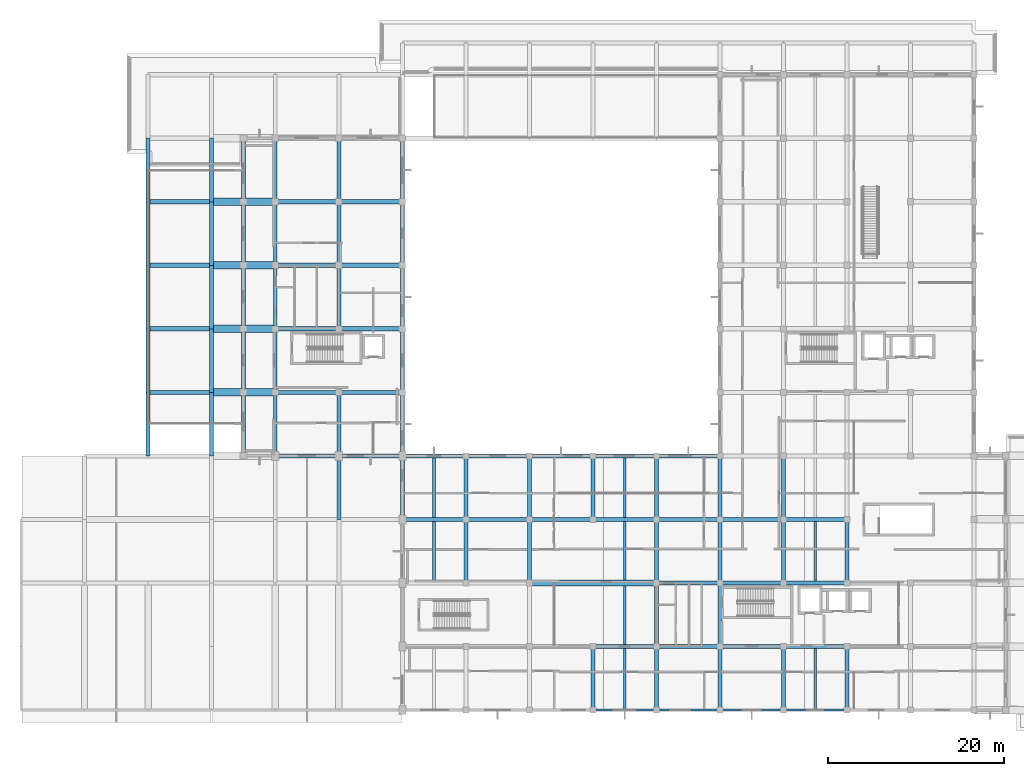
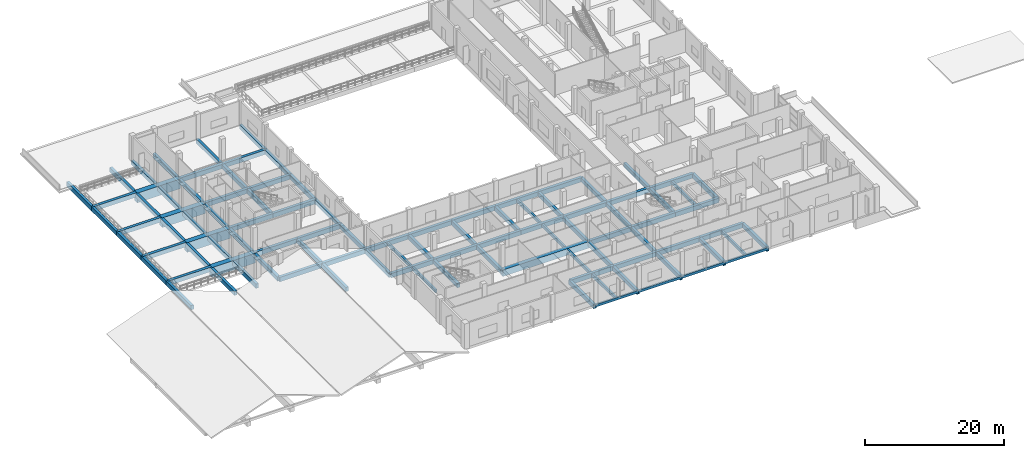
# One storey, part 2 of 24: 100 beams.
"""IFC4 building model written with IfcOpenShell, lengths in metres."""

from ifc_helpers import new_model, si_unit, direction, frame, origin, origin_2d, place, context, subcontext, project, spatial, rectangle, extrude, material, material_profile, profile_set, type_object, element, save


model = new_model("IFC4")

# Units and contexts
model_context = context("Model", 3, precision=1e-05, world=origin(), true_north=direction((0.0, 1.0)))
body_context = subcontext(model_context, "Body", "Model", "MODEL_VIEW")
ifc_project = project(units=[si_unit("LENGTHUNIT", "METRE"), si_unit("AREAUNIT", "SQUARE_METRE"), si_unit("VOLUMEUNIT", "CUBIC_METRE"), si_unit("PLANEANGLEUNIT", "RADIAN"), si_unit("MASSUNIT", "GRAM", prefix="KILO")], contexts=[model_context])

# Site, building, storey
site_placement = place(None, origin())
site = spatial("IfcSite", under=ifc_project, at=site_placement, CompositionType="ELEMENT")
building_placement = place(site_placement, origin())
building = spatial("IfcBuilding", under=site, at=building_placement, Name="Seraya Terrace Polytechnic", CompositionType="ELEMENT")
storey_placement = place(building_placement, frame((0.0, 0.0, 18.89990234375)))
storey = spatial("IfcBuildingStorey", under=building, at=storey_placement, Name="L04", CompositionType="ELEMENT", Elevation=18.89990234375)

# Beams
ifc_material = material(Name="Concrete C40/50", Category="concrete")
ifc_material_profile_1 = material_profile(ifc_material, rectangle(XDim=0.64990234375, YDim=1.14990234375, at=origin_2d()), Name="RC 650x1150")
ifc_profile_set_1 = profile_set([ifc_material_profile_1], Name="Concrete C40/50")
beam_type_1 = type_object("IfcBeamType", Name="BG-02", PredefinedType="USERDEFINED", material=ifc_profile_set_1)
beam_1_placement = place(storey_placement, frame((57.60009765625, 14.39990234375, -0.574951171875), z_axis=(1.0, 0.0, 0.0), x_axis=(0.0, 1.0, 0.0)))
element("IfcBeam", 1, at=beam_1_placement, inside=storey, type_object=beam_type_1, Name="Beam BG-02 L04 X (57.6..72.0, 14.4)", ObjectType="GIRDER", PredefinedType="USERDEFINED", context=body_context, shape_type="SweptSolid", body=[
    extrude(rectangle(XDim=0.64990234375, YDim=1.14990234375, at=origin_2d()), origin(), (0.0, 0.0, 1.0), 14.39990234375),
])
ifc_material_profile_2 = material_profile(ifc_material, rectangle(XDim=0.47998046875, YDim=0.780029296875, at=origin_2d()), Name="RC 480x780")
ifc_profile_set_2 = profile_set([ifc_material_profile_2], Name="Concrete C40/50")
beam_type_2 = type_object("IfcBeamType", Name="BM-06", PredefinedType="BEAM", material=ifc_profile_set_2)
for number, where, z_axis, x_axis, name in (
    (2, (64.800048828125, 7.199951171875, -0.389892578125), (1.0, 0.0, 0.0), (0.0, 1.0, 0.0), "Beam BM-06 L04 X (64.8..72.0, 7.2)"),
    (3, (72.0, 7.199951171875, -0.389892578125), (1.0, 0.0, 0.0), (0.0, 1.0, 0.0), "Beam BM-06 L04 X (72.0..79.2, 7.2)"),
    (4, (79.199951171875, 7.199951171875, -0.389892578125), (1.0, 0.0, 0.0), (0.0, 1.0, 0.0), "Beam BM-06 L04 X (79.2..86.4, 7.2)"),
):
    element("IfcBeam", number, at=place(storey_placement, frame(where, z_axis=z_axis, x_axis=x_axis)), inside=storey, type_object=beam_type_2, Name=name, PredefinedType="BEAM", context=body_context, shape_type="SweptSolid", body=[
        extrude(rectangle(XDim=0.47998046875, YDim=0.780029296875, at=origin_2d()), origin(), (0.0, 0.0, 1.0), 7.199951171875),
    ])
beam_2_placement = place(storey_placement, frame((86.39990234375, 7.199951171875, -0.389892578125), z_axis=(1.0, 0.0, 0.0), x_axis=(0.0, 1.0, 0.0)))
element("IfcBeam", 5, at=beam_2_placement, inside=storey, type_object=beam_type_2, Name="Beam BM-06 L04 X (86.4..93.6, 7.2)", PredefinedType="BEAM", context=body_context, shape_type="SweptSolid", body=[
    extrude(rectangle(XDim=0.47998046875, YDim=0.780029296875, at=origin_2d()), origin(), (0.0, 0.0, 1.0), 7.2001953125),
])
for number, where, z_axis, x_axis, name in (
    (6, (72.0, 14.39990234375, -0.389892578125), (1.0, 0.0, 0.0), (0.0, 1.0, 0.0), "Beam BM-06 L04 X (72.0..79.2, 14.4)"),
    (7, (79.199951171875, 14.39990234375, -0.389892578125), (1.0, 0.0, 0.0), (0.0, 1.0, 0.0), "Beam BM-06 L04 X (79.2..86.4, 14.4)"),
):
    element("IfcBeam", number, at=place(storey_placement, frame(where, z_axis=z_axis, x_axis=x_axis)), inside=storey, type_object=beam_type_2, Name=name, PredefinedType="BEAM", context=body_context, shape_type="SweptSolid", body=[
        extrude(rectangle(XDim=0.47998046875, YDim=0.780029296875, at=origin_2d()), origin(), (0.0, 0.0, 1.0), 7.199951171875),
    ])
beam_3_placement = place(storey_placement, frame((86.39990234375, 14.39990234375, -0.389892578125), z_axis=(1.0, 0.0, 0.0), x_axis=(0.0, 1.0, 0.0)))
element("IfcBeam", 8, at=beam_3_placement, inside=storey, type_object=beam_type_2, Name="Beam BM-06 L04 X (86.4..93.6, 14.4)", PredefinedType="BEAM", context=body_context, shape_type="SweptSolid", body=[
    extrude(rectangle(XDim=0.47998046875, YDim=0.780029296875, at=origin_2d()), origin(), (0.0, 0.0, 1.0), 7.2001953125),
])
beam_4_placement = place(storey_placement, frame((43.199951171875, 21.60009765625, -0.389892578125), z_axis=(1.0, 0.0, 0.0), x_axis=(0.0, 1.0, 0.0)))
element("IfcBeam", 9, at=beam_4_placement, inside=storey, type_object=beam_type_2, Name="Beam BM-06 L04 X (43.2..50.4, 21.6)", PredefinedType="BEAM", context=body_context, shape_type="SweptSolid", body=[
    extrude(rectangle(XDim=0.47998046875, YDim=0.780029296875, at=origin_2d()), origin(), (0.0, 0.0, 1.0), 7.199951171875),
])
beam_5_placement = place(storey_placement, frame((50.39990234375, 21.60009765625, -0.389892578125), z_axis=(1.0, 0.0, 0.0), x_axis=(0.0, 1.0, 0.0)))
element("IfcBeam", 10, at=beam_5_placement, inside=storey, type_object=beam_type_2, Name="Beam BM-06 L04 X (50.4..57.6, 21.6)", PredefinedType="BEAM", context=body_context, shape_type="SweptSolid", body=[
    extrude(rectangle(XDim=0.47998046875, YDim=0.780029296875, at=origin_2d()), origin(), (0.0, 0.0, 1.0), 7.2001953125),
])
for number, where, z_axis, x_axis, name in (
    (11, (57.60009765625, 21.60009765625, -0.389892578125), (1.0, 0.0, 0.0), (0.0, 1.0, 0.0), "Beam BM-06 L04 X (57.6..64.8, 21.6)"),
    (12, (64.800048828125, 21.60009765625, -0.389892578125), (1.0, 0.0, 0.0), (0.0, 1.0, 0.0), "Beam BM-06 L04 X (64.8..72.0, 21.6)"),
    (13, (72.0, 21.60009765625, -0.389892578125), (1.0, 0.0, 0.0), (0.0, 1.0, 0.0), "Beam BM-06 L04 X (72.0..79.2, 21.6)"),
    (14, (79.199951171875, 21.60009765625, -0.389892578125), (1.0, 0.0, 0.0), (0.0, 1.0, 0.0), "Beam BM-06 L04 X (79.2..86.4, 21.6)"),
):
    element("IfcBeam", number, at=place(storey_placement, frame(where, z_axis=z_axis, x_axis=x_axis)), inside=storey, type_object=beam_type_2, Name=name, PredefinedType="BEAM", context=body_context, shape_type="SweptSolid", body=[
        extrude(rectangle(XDim=0.47998046875, YDim=0.780029296875, at=origin_2d()), origin(), (0.0, 0.0, 1.0), 7.199951171875),
    ])
beam_6_placement = place(storey_placement, frame((86.39990234375, 21.60009765625, -0.389892578125), z_axis=(1.0, 0.0, 0.0), x_axis=(0.0, 1.0, 0.0)))
element("IfcBeam", 15, at=beam_6_placement, inside=storey, type_object=beam_type_2, Name="Beam BM-06 L04 X (86.4..93.6, 21.6)", PredefinedType="BEAM", context=body_context, shape_type="SweptSolid", body=[
    extrude(rectangle(XDim=0.47998046875, YDim=0.780029296875, at=origin_2d()), origin(), (0.0, 0.0, 1.0), 7.2001953125),
])
for number, where, z_axis, x_axis, name in (
    (16, (28.800048828125, 28.800048828125, -0.389892578125), (1.0, 0.0, 0.0), (0.0, 1.0, 0.0), "Beam BM-06 L04 X (28.8..36.0, 28.8)"),
    (17, (36.0, 28.800048828125, -0.389892578125), (1.0, 0.0, 0.0), (0.0, 1.0, 0.0), "Beam BM-06 L04 X (36.0..43.2, 28.8)"),
    (18, (43.199951171875, 28.800048828125, -0.389892578125), (1.0, 0.0, 0.0), (0.0, 1.0, 0.0), "Beam BM-06 L04 X (43.2..50.4, 28.8)"),
):
    element("IfcBeam", number, at=place(storey_placement, frame(where, z_axis=z_axis, x_axis=x_axis)), inside=storey, type_object=beam_type_2, Name=name, PredefinedType="BEAM", context=body_context, shape_type="SweptSolid", body=[
        extrude(rectangle(XDim=0.47998046875, YDim=0.780029296875, at=origin_2d()), origin(), (0.0, 0.0, 1.0), 7.199951171875),
    ])
beam_7_placement = place(storey_placement, frame((50.39990234375, 28.800048828125, -0.389892578125), z_axis=(1.0, 0.0, 0.0), x_axis=(0.0, 1.0, 0.0)))
element("IfcBeam", 19, at=beam_7_placement, inside=storey, type_object=beam_type_2, Name="Beam BM-06 L04 X (50.4..57.6, 28.8)", PredefinedType="BEAM", context=body_context, shape_type="SweptSolid", body=[
    extrude(rectangle(XDim=0.47998046875, YDim=0.780029296875, at=origin_2d()), origin(), (0.0, 0.0, 1.0), 7.2001953125),
])
for number, where, z_axis, x_axis, name in (
    (20, (57.60009765625, 28.800048828125, -0.389892578125), (1.0, 0.0, 0.0), (0.0, 1.0, 0.0), "Beam BM-06 L04 X (57.6..64.8, 28.8)"),
    (21, (64.800048828125, 28.800048828125, -0.389892578125), (1.0, 0.0, 0.0), (0.0, 1.0, 0.0), "Beam BM-06 L04 X (64.8..72.0, 28.8)"),
    (22, (72.0, 28.800048828125, -0.389892578125), (1.0, 0.0, 0.0), (0.0, 1.0, 0.0), "Beam BM-06 L04 X (72.0..79.2, 28.8)"),
):
    element("IfcBeam", number, at=place(storey_placement, frame(where, z_axis=z_axis, x_axis=x_axis)), inside=storey, type_object=beam_type_2, Name=name, PredefinedType="BEAM", context=body_context, shape_type="SweptSolid", body=[
        extrude(rectangle(XDim=0.47998046875, YDim=0.780029296875, at=origin_2d()), origin(), (0.0, 0.0, 1.0), 7.199951171875),
    ])
beam_8_placement = place(storey_placement, frame((14.39990234375, 36.0, -0.389892578125), z_axis=(1.0, 0.0, 0.0), x_axis=(0.0, 1.0, 0.0)))
element("IfcBeam", 23, at=beam_8_placement, inside=storey, type_object=beam_type_2, Name="Beam BM-06 L04 X (14.4..21.6, 36.0)", PredefinedType="BEAM", context=body_context, shape_type="SweptSolid", body=[
    extrude(rectangle(XDim=0.47998046875, YDim=0.780029296875, at=origin_2d()), origin(), (0.0, 0.0, 1.0), 7.2001953125),
])
for number, where, z_axis, x_axis, name in (
    (24, (28.800048828125, 36.0, -0.389892578125), (1.0, 0.0, 0.0), (0.0, 1.0, 0.0), "Beam BM-06 L04 X (28.8..36.0, 36.0)"),
    (25, (36.0, 36.0, -0.389892578125), (1.0, 0.0, 0.0), (0.0, 1.0, 0.0), "Beam BM-06 L04 X (36.0..43.2, 36.0)"),
):
    element("IfcBeam", number, at=place(storey_placement, frame(where, z_axis=z_axis, x_axis=x_axis)), inside=storey, type_object=beam_type_2, Name=name, PredefinedType="BEAM", context=body_context, shape_type="SweptSolid", body=[
        extrude(rectangle(XDim=0.47998046875, YDim=0.780029296875, at=origin_2d()), origin(), (0.0, 0.0, 1.0), 7.199951171875),
    ])
beam_9_placement = place(storey_placement, frame((14.39990234375, 43.199951171875, -0.389892578125), z_axis=(1.0, 0.0, 0.0), x_axis=(0.0, 1.0, 0.0)))
element("IfcBeam", 26, at=beam_9_placement, inside=storey, type_object=beam_type_2, Name="Beam BM-06 L04 X (14.4..21.6, 43.2)", PredefinedType="BEAM", context=body_context, shape_type="SweptSolid", body=[
    extrude(rectangle(XDim=0.47998046875, YDim=0.780029296875, at=origin_2d()), origin(), (0.0, 0.0, 1.0), 7.2001953125),
])
for number, where, z_axis, x_axis, name in (
    (27, (28.800048828125, 43.199951171875, -0.389892578125), (1.0, 0.0, 0.0), (0.0, 1.0, 0.0), "Beam BM-06 L04 X (28.8..36.0, 43.2)"),
    (28, (36.0, 43.199951171875, -0.389892578125), (1.0, 0.0, 0.0), (0.0, 1.0, 0.0), "Beam BM-06 L04 X (36.0..43.2, 43.2)"),
):
    element("IfcBeam", number, at=place(storey_placement, frame(where, z_axis=z_axis, x_axis=x_axis)), inside=storey, type_object=beam_type_2, Name=name, PredefinedType="BEAM", context=body_context, shape_type="SweptSolid", body=[
        extrude(rectangle(XDim=0.47998046875, YDim=0.780029296875, at=origin_2d()), origin(), (0.0, 0.0, 1.0), 7.199951171875),
    ])
beam_10_placement = place(storey_placement, frame((14.39990234375, 50.39990234375, -0.389892578125), z_axis=(1.0, 0.0, 0.0), x_axis=(0.0, 1.0, 0.0)))
element("IfcBeam", 29, at=beam_10_placement, inside=storey, type_object=beam_type_2, Name="Beam BM-06 L04 X (14.4..21.6, 50.4)", PredefinedType="BEAM", context=body_context, shape_type="SweptSolid", body=[
    extrude(rectangle(XDim=0.47998046875, YDim=0.780029296875, at=origin_2d()), origin(), (0.0, 0.0, 1.0), 7.2001953125),
])
for number, where, z_axis, x_axis, name in (
    (30, (28.800048828125, 50.39990234375, -0.389892578125), (1.0, 0.0, 0.0), (0.0, 1.0, 0.0), "Beam BM-06 L04 X (28.8..36.0, 50.4)"),
    (31, (36.0, 50.39990234375, -0.389892578125), (1.0, 0.0, 0.0), (0.0, 1.0, 0.0), "Beam BM-06 L04 X (36.0..43.2, 50.4)"),
):
    element("IfcBeam", number, at=place(storey_placement, frame(where, z_axis=z_axis, x_axis=x_axis)), inside=storey, type_object=beam_type_2, Name=name, PredefinedType="BEAM", context=body_context, shape_type="SweptSolid", body=[
        extrude(rectangle(XDim=0.47998046875, YDim=0.780029296875, at=origin_2d()), origin(), (0.0, 0.0, 1.0), 7.199951171875),
    ])
beam_11_placement = place(storey_placement, frame((14.39990234375, 57.60009765625, -0.389892578125), z_axis=(1.0, 0.0, 0.0), x_axis=(0.0, 1.0, 0.0)))
element("IfcBeam", 32, at=beam_11_placement, inside=storey, type_object=beam_type_2, Name="Beam BM-06 L04 X (14.4..21.6, 57.6)", PredefinedType="BEAM", context=body_context, shape_type="SweptSolid", body=[
    extrude(rectangle(XDim=0.47998046875, YDim=0.780029296875, at=origin_2d()), origin(), (0.0, 0.0, 1.0), 7.2001953125),
])
for number, where, z_axis, x_axis, name in (
    (33, (28.800048828125, 57.60009765625, -0.389892578125), (1.0, 0.0, 0.0), (0.0, 1.0, 0.0), "Beam BM-06 L04 X (28.8..36.0, 57.6)"),
    (34, (36.0, 57.60009765625, -0.389892578125), (1.0, 0.0, 0.0), (0.0, 1.0, 0.0), "Beam BM-06 L04 X (36.0..43.2, 57.6)"),
):
    element("IfcBeam", number, at=place(storey_placement, frame(where, z_axis=z_axis, x_axis=x_axis)), inside=storey, type_object=beam_type_2, Name=name, PredefinedType="BEAM", context=body_context, shape_type="SweptSolid", body=[
        extrude(rectangle(XDim=0.47998046875, YDim=0.780029296875, at=origin_2d()), origin(), (0.0, 0.0, 1.0), 7.199951171875),
    ])
ifc_material_profile_3 = material_profile(ifc_material, rectangle(XDim=0.449951171875, YDim=0.75, at=origin_2d()), Name="RC 450x750")
ifc_profile_set_3 = profile_set([ifc_material_profile_3], Name="Concrete C40/50")
beam_type_3 = type_object("IfcBeamType", Name="BM-08", PredefinedType="BEAM", material=ifc_profile_set_3)
for number, where, z_axis, x_axis, name in (
    (35, (14.39990234375, 28.800048828125, -0.375), (0.0, 1.0, 0.0), (-1.0, 0.0, 0.0), "Beam BM-08 L04 Y (14.4, 28.8..36.0)"),
    (36, (14.39990234375, 36.0, -0.375), (0.0, 1.0, 0.0), (-1.0, 0.0, 0.0), "Beam BM-08 L04 Y (14.4, 36.0..43.2)"),
    (37, (14.39990234375, 43.199951171875, -0.375), (0.0, 1.0, 0.0), (-1.0, 0.0, 0.0), "Beam BM-08 L04 Y (14.4, 43.2..50.4)"),
):
    element("IfcBeam", number, at=place(storey_placement, frame(where, z_axis=z_axis, x_axis=x_axis)), inside=storey, type_object=beam_type_3, Name=name, PredefinedType="BEAM", context=body_context, shape_type="SweptSolid", body=[
        extrude(rectangle(XDim=0.449951171875, YDim=0.75, at=origin_2d()), origin(), (0.0, 0.0, 1.0), 7.199951171875),
    ])
beam_12_placement = place(storey_placement, frame((14.39990234375, 50.39990234375, -0.375), z_axis=(0.0, 1.0, 0.0), x_axis=(-1.0, 0.0, 0.0)))
element("IfcBeam", 38, at=beam_12_placement, inside=storey, type_object=beam_type_3, Name="Beam BM-08 L04 Y (14.4, 50.4..57.6)", PredefinedType="BEAM", context=body_context, shape_type="SweptSolid", body=[
    extrude(rectangle(XDim=0.449951171875, YDim=0.75, at=origin_2d()), origin(), (0.0, 0.0, 1.0), 7.2001953125),
])
for number, where, z_axis, x_axis, name in (
    (39, (14.39990234375, 57.60009765625, -0.375), (0.0, 1.0, 0.0), (-1.0, 0.0, 0.0), "Beam BM-08 L04 Y (14.4, 57.6..64.8)"),
    (40, (21.60009765625, 28.800048828125, -0.375), (0.0, 1.0, 0.0), (-1.0, 0.0, 0.0), "Beam BM-08 L04 Y (21.6, 28.8..36.0)"),
    (41, (21.60009765625, 36.0, -0.375), (0.0, 1.0, 0.0), (-1.0, 0.0, 0.0), "Beam BM-08 L04 Y (21.6, 36.0..43.2)"),
    (42, (21.60009765625, 43.199951171875, -0.375), (0.0, 1.0, 0.0), (-1.0, 0.0, 0.0), "Beam BM-08 L04 Y (21.6, 43.2..50.4)"),
):
    element("IfcBeam", number, at=place(storey_placement, frame(where, z_axis=z_axis, x_axis=x_axis)), inside=storey, type_object=beam_type_3, Name=name, PredefinedType="BEAM", context=body_context, shape_type="SweptSolid", body=[
        extrude(rectangle(XDim=0.449951171875, YDim=0.75, at=origin_2d()), origin(), (0.0, 0.0, 1.0), 7.199951171875),
    ])
beam_13_placement = place(storey_placement, frame((21.60009765625, 50.39990234375, -0.375), z_axis=(0.0, 1.0, 0.0), x_axis=(-1.0, 0.0, 0.0)))
element("IfcBeam", 43, at=beam_13_placement, inside=storey, type_object=beam_type_3, Name="Beam BM-08 L04 Y (21.6, 50.4..57.6)", PredefinedType="BEAM", context=body_context, shape_type="SweptSolid", body=[
    extrude(rectangle(XDim=0.449951171875, YDim=0.75, at=origin_2d()), origin(), (0.0, 0.0, 1.0), 7.2001953125),
])
for number, where, z_axis, x_axis, name in (
    (44, (21.60009765625, 57.60009765625, -0.375), (0.0, 1.0, 0.0), (-1.0, 0.0, 0.0), "Beam BM-08 L04 Y (21.6, 57.6..64.8)"),
    (45, (25.199951171875, 28.800048828125, -0.375), (0.0, 1.0, 0.0), (-1.0, 0.0, 0.0), "Beam BM-08 L04 Y (25.2, 28.8..36.0)"),
    (46, (25.199951171875, 36.0, -0.375), (0.0, 1.0, 0.0), (-1.0, 0.0, 0.0), "Beam BM-08 L04 Y (25.2, 36.0..43.2)"),
    (47, (25.199951171875, 43.199951171875, -0.375), (0.0, 1.0, 0.0), (-1.0, 0.0, 0.0), "Beam BM-08 L04 Y (25.2, 43.2..50.4)"),
):
    element("IfcBeam", number, at=place(storey_placement, frame(where, z_axis=z_axis, x_axis=x_axis)), inside=storey, type_object=beam_type_3, Name=name, PredefinedType="BEAM", context=body_context, shape_type="SweptSolid", body=[
        extrude(rectangle(XDim=0.449951171875, YDim=0.75, at=origin_2d()), origin(), (0.0, 0.0, 1.0), 7.199951171875),
    ])
beam_14_placement = place(storey_placement, frame((25.199951171875, 50.39990234375, -0.375), z_axis=(0.0, 1.0, 0.0), x_axis=(-1.0, 0.0, 0.0)))
element("IfcBeam", 48, at=beam_14_placement, inside=storey, type_object=beam_type_3, Name="Beam BM-08 L04 Y (25.2, 50.4..57.6)", PredefinedType="BEAM", context=body_context, shape_type="SweptSolid", body=[
    extrude(rectangle(XDim=0.449951171875, YDim=0.75, at=origin_2d()), origin(), (0.0, 0.0, 1.0), 7.2001953125),
])
for number, where, z_axis, x_axis, name in (
    (49, (25.199951171875, 57.60009765625, -0.375), (0.0, 1.0, 0.0), (-1.0, 0.0, 0.0), "Beam BM-08 L04 Y (25.2, 57.6..64.8)"),
    (50, (28.800048828125, 28.800048828125, -0.375), (0.0, 1.0, 0.0), (-1.0, 0.0, 0.0), "Beam BM-08 L04 Y (28.8, 28.8..36.0)"),
    (51, (28.800048828125, 36.0, -0.375), (0.0, 1.0, 0.0), (-1.0, 0.0, 0.0), "Beam BM-08 L04 Y (28.8, 36.0..43.2)"),
    (52, (28.800048828125, 43.199951171875, -0.375), (0.0, 1.0, 0.0), (-1.0, 0.0, 0.0), "Beam BM-08 L04 Y (28.8, 43.2..50.4)"),
):
    element("IfcBeam", number, at=place(storey_placement, frame(where, z_axis=z_axis, x_axis=x_axis)), inside=storey, type_object=beam_type_3, Name=name, PredefinedType="BEAM", context=body_context, shape_type="SweptSolid", body=[
        extrude(rectangle(XDim=0.449951171875, YDim=0.75, at=origin_2d()), origin(), (0.0, 0.0, 1.0), 7.199951171875),
    ])
beam_15_placement = place(storey_placement, frame((28.800048828125, 50.39990234375, -0.375), z_axis=(0.0, 1.0, 0.0), x_axis=(-1.0, 0.0, 0.0)))
element("IfcBeam", 53, at=beam_15_placement, inside=storey, type_object=beam_type_3, Name="Beam BM-08 L04 Y (28.8, 50.4..57.6)", PredefinedType="BEAM", context=body_context, shape_type="SweptSolid", body=[
    extrude(rectangle(XDim=0.449951171875, YDim=0.75, at=origin_2d()), origin(), (0.0, 0.0, 1.0), 7.2001953125),
])
for number, where, z_axis, x_axis, name in (
    (54, (28.800048828125, 57.60009765625, -0.375), (0.0, 1.0, 0.0), (-1.0, 0.0, 0.0), "Beam BM-08 L04 Y (28.8, 57.6..64.8)"),
    (55, (36.0, 21.60009765625, -0.375), (0.0, 1.0, 0.0), (-1.0, 0.0, 0.0), "Beam BM-08 L04 Y (36.0, 21.6..28.8)"),
    (56, (36.0, 28.800048828125, -0.375), (0.0, 1.0, 0.0), (-1.0, 0.0, 0.0), "Beam BM-08 L04 Y (36.0, 28.8..36.0)"),
    (57, (36.0, 43.199951171875, -0.375), (0.0, 1.0, 0.0), (-1.0, 0.0, 0.0), "Beam BM-08 L04 Y (36.0, 43.2..50.4)"),
):
    element("IfcBeam", number, at=place(storey_placement, frame(where, z_axis=z_axis, x_axis=x_axis)), inside=storey, type_object=beam_type_3, Name=name, PredefinedType="BEAM", context=body_context, shape_type="SweptSolid", body=[
        extrude(rectangle(XDim=0.449951171875, YDim=0.75, at=origin_2d()), origin(), (0.0, 0.0, 1.0), 7.199951171875),
    ])
beam_16_placement = place(storey_placement, frame((36.0, 50.39990234375, -0.375), z_axis=(0.0, 1.0, 0.0), x_axis=(-1.0, 0.0, 0.0)))
element("IfcBeam", 58, at=beam_16_placement, inside=storey, type_object=beam_type_3, Name="Beam BM-08 L04 Y (36.0, 50.4..57.6)", PredefinedType="BEAM", context=body_context, shape_type="SweptSolid", body=[
    extrude(rectangle(XDim=0.449951171875, YDim=0.75, at=origin_2d()), origin(), (0.0, 0.0, 1.0), 7.2001953125),
])
for number, where, z_axis, x_axis, name in (
    (59, (36.0, 57.60009765625, -0.375), (0.0, 1.0, 0.0), (-1.0, 0.0, 0.0), "Beam BM-08 L04 Y (36.0, 57.6..64.8)"),
    (60, (43.199951171875, 21.60009765625, -0.375), (0.0, 1.0, 0.0), (-1.0, 0.0, 0.0), "Beam BM-08 L04 Y (43.2, 21.6..28.8)"),
    (61, (43.199951171875, 28.800048828125, -0.375), (0.0, 1.0, 0.0), (-1.0, 0.0, 0.0), "Beam BM-08 L04 Y (43.2, 28.8..36.0)"),
    (62, (43.199951171875, 36.0, -0.375), (0.0, 1.0, 0.0), (-1.0, 0.0, 0.0), "Beam BM-08 L04 Y (43.2, 36.0..43.2)"),
    (63, (43.199951171875, 43.199951171875, -0.375), (0.0, 1.0, 0.0), (-1.0, 0.0, 0.0), "Beam BM-08 L04 Y (43.2, 43.2..50.4)"),
):
    element("IfcBeam", number, at=place(storey_placement, frame(where, z_axis=z_axis, x_axis=x_axis)), inside=storey, type_object=beam_type_3, Name=name, PredefinedType="BEAM", context=body_context, shape_type="SweptSolid", body=[
        extrude(rectangle(XDim=0.449951171875, YDim=0.75, at=origin_2d()), origin(), (0.0, 0.0, 1.0), 7.199951171875),
    ])
beam_17_placement = place(storey_placement, frame((43.199951171875, 50.39990234375, -0.375), z_axis=(0.0, 1.0, 0.0), x_axis=(-1.0, 0.0, 0.0)))
element("IfcBeam", 64, at=beam_17_placement, inside=storey, type_object=beam_type_3, Name="Beam BM-08 L04 Y (43.2, 50.4..57.6)", PredefinedType="BEAM", context=body_context, shape_type="SweptSolid", body=[
    extrude(rectangle(XDim=0.449951171875, YDim=0.75, at=origin_2d()), origin(), (0.0, 0.0, 1.0), 7.2001953125),
])
beam_18_placement = place(storey_placement, frame((43.199951171875, 57.60009765625, -0.375), z_axis=(0.0, 1.0, 0.0), x_axis=(-1.0, 0.0, 0.0)))
element("IfcBeam", 65, at=beam_18_placement, inside=storey, type_object=beam_type_3, Name="Beam BM-08 L04 Y (43.2, 57.6..64.8)", PredefinedType="BEAM", context=body_context, shape_type="SweptSolid", body=[
    extrude(rectangle(XDim=0.449951171875, YDim=0.75, at=origin_2d()), origin(), (0.0, 0.0, 1.0), 7.199951171875),
])
beam_19_placement = place(storey_placement, frame((50.39990234375, 14.39990234375, -0.375), z_axis=(0.0, 1.0, 0.0), x_axis=(-1.0, 0.0, 0.0)))
element("IfcBeam", 66, at=beam_19_placement, inside=storey, type_object=beam_type_3, Name="Beam BM-08 L04 Y (50.4, 14.4..21.6)", PredefinedType="BEAM", context=body_context, shape_type="SweptSolid", body=[
    extrude(rectangle(XDim=0.449951171875, YDim=0.75, at=origin_2d()), origin(), (0.0, 0.0, 1.0), 7.2001953125),
])
beam_20_placement = place(storey_placement, frame((50.39990234375, 21.60009765625, -0.375), z_axis=(0.0, 1.0, 0.0), x_axis=(-1.0, 0.0, 0.0)))
element("IfcBeam", 67, at=beam_20_placement, inside=storey, type_object=beam_type_3, Name="Beam BM-08 L04 Y (50.4, 21.6..28.8)", PredefinedType="BEAM", context=body_context, shape_type="SweptSolid", body=[
    extrude(rectangle(XDim=0.449951171875, YDim=0.75, at=origin_2d()), origin(), (0.0, 0.0, 1.0), 7.199951171875),
])
beam_21_placement = place(storey_placement, frame((57.60009765625, 14.39990234375, -0.375), z_axis=(0.0, 1.0, 0.0), x_axis=(-1.0, 0.0, 0.0)))
element("IfcBeam", 68, at=beam_21_placement, inside=storey, type_object=beam_type_3, Name="Beam BM-08 L04 Y (57.6, 14.4..21.6)", PredefinedType="BEAM", context=body_context, shape_type="SweptSolid", body=[
    extrude(rectangle(XDim=0.449951171875, YDim=0.75, at=origin_2d()), origin(), (0.0, 0.0, 1.0), 7.2001953125),
])
for number, where, z_axis, x_axis, name in (
    (69, (57.60009765625, 21.60009765625, -0.375), (0.0, 1.0, 0.0), (-1.0, 0.0, 0.0), "Beam BM-08 L04 Y (57.6, 21.6..28.8)"),
    (70, (64.800048828125, 0.0, -0.375), (0.0, 1.0, 0.0), (-1.0, 0.0, 0.0), "Beam BM-08 L04 Y (64.8, 0.0..7.2)"),
    (71, (64.800048828125, 21.60009765625, -0.375), (0.0, 1.0, 0.0), (-1.0, 0.0, 0.0), "Beam BM-08 L04 Y (64.8, 21.6..28.8)"),
    (72, (72.0, 0.0, -0.375), (0.0, 1.0, 0.0), (-1.0, 0.0, 0.0), "Beam BM-08 L04 Y (72.0, 0.0..7.2)"),
    (73, (72.0, 7.199951171875, -0.375), (0.0, 1.0, 0.0), (-1.0, 0.0, 0.0), "Beam BM-08 L04 Y (72.0, 7.2..14.4)"),
):
    element("IfcBeam", number, at=place(storey_placement, frame(where, z_axis=z_axis, x_axis=x_axis)), inside=storey, type_object=beam_type_3, Name=name, PredefinedType="BEAM", context=body_context, shape_type="SweptSolid", body=[
        extrude(rectangle(XDim=0.449951171875, YDim=0.75, at=origin_2d()), origin(), (0.0, 0.0, 1.0), 7.199951171875),
    ])
beam_22_placement = place(storey_placement, frame((72.0, 14.39990234375, -0.375), z_axis=(0.0, 1.0, 0.0), x_axis=(-1.0, 0.0, 0.0)))
element("IfcBeam", 74, at=beam_22_placement, inside=storey, type_object=beam_type_3, Name="Beam BM-08 L04 Y (72.0, 14.4..21.6)", PredefinedType="BEAM", context=body_context, shape_type="SweptSolid", body=[
    extrude(rectangle(XDim=0.449951171875, YDim=0.75, at=origin_2d()), origin(), (0.0, 0.0, 1.0), 7.2001953125),
])
for number, where, z_axis, x_axis, name in (
    (75, (72.0, 21.60009765625, -0.375), (0.0, 1.0, 0.0), (-1.0, 0.0, 0.0), "Beam BM-08 L04 Y (72.0, 21.6..28.8)"),
    (76, (79.199951171875, 0.0, -0.375), (0.0, 1.0, 0.0), (-1.0, 0.0, 0.0), "Beam BM-08 L04 Y (79.2, 0.0..7.2)"),
    (77, (79.199951171875, 7.199951171875, -0.375), (0.0, 1.0, 0.0), (-1.0, 0.0, 0.0), "Beam BM-08 L04 Y (79.2, 7.2..14.4)"),
):
    element("IfcBeam", number, at=place(storey_placement, frame(where, z_axis=z_axis, x_axis=x_axis)), inside=storey, type_object=beam_type_3, Name=name, PredefinedType="BEAM", context=body_context, shape_type="SweptSolid", body=[
        extrude(rectangle(XDim=0.449951171875, YDim=0.75, at=origin_2d()), origin(), (0.0, 0.0, 1.0), 7.199951171875),
    ])
beam_23_placement = place(storey_placement, frame((79.199951171875, 14.39990234375, -0.375), z_axis=(0.0, 1.0, 0.0), x_axis=(-1.0, 0.0, 0.0)))
element("IfcBeam", 78, at=beam_23_placement, inside=storey, type_object=beam_type_3, Name="Beam BM-08 L04 Y (79.2, 14.4..21.6)", PredefinedType="BEAM", context=body_context, shape_type="SweptSolid", body=[
    extrude(rectangle(XDim=0.449951171875, YDim=0.75, at=origin_2d()), origin(), (0.0, 0.0, 1.0), 7.2001953125),
])
for number, where, z_axis, x_axis, name in (
    (79, (79.199951171875, 21.60009765625, -0.375), (0.0, 1.0, 0.0), (-1.0, 0.0, 0.0), "Beam BM-08 L04 Y (79.2, 21.6..28.8)"),
    (80, (86.39990234375, 0.0, -0.375), (0.0, 1.0, 0.0), (-1.0, 0.0, 0.0), "Beam BM-08 L04 Y (86.4, 0.0..7.2)"),
):
    element("IfcBeam", number, at=place(storey_placement, frame(where, z_axis=z_axis, x_axis=x_axis)), inside=storey, type_object=beam_type_3, Name=name, PredefinedType="BEAM", context=body_context, shape_type="SweptSolid", body=[
        extrude(rectangle(XDim=0.449951171875, YDim=0.75, at=origin_2d()), origin(), (0.0, 0.0, 1.0), 7.199951171875),
    ])
beam_24_placement = place(storey_placement, frame((86.39990234375, 14.39990234375, -0.375), z_axis=(0.0, 1.0, 0.0), x_axis=(-1.0, 0.0, 0.0)))
element("IfcBeam", 81, at=beam_24_placement, inside=storey, type_object=beam_type_3, Name="Beam BM-08 L04 Y (86.4, 14.4..21.6)", PredefinedType="BEAM", context=body_context, shape_type="SweptSolid", body=[
    extrude(rectangle(XDim=0.449951171875, YDim=0.75, at=origin_2d()), origin(), (0.0, 0.0, 1.0), 7.2001953125),
])
for number, where, z_axis, x_axis, name in (
    (82, (86.39990234375, 21.60009765625, -0.375), (0.0, 1.0, 0.0), (-1.0, 0.0, 0.0), "Beam BM-08 L04 Y (86.4, 21.6..28.8)"),
    (83, (93.60009765625, 0.0, -0.375), (0.0, 1.0, 0.0), (-1.0, 0.0, 0.0), "Beam BM-08 L04 Y (93.6, 0.0..7.2)"),
):
    element("IfcBeam", number, at=place(storey_placement, frame(where, z_axis=z_axis, x_axis=x_axis)), inside=storey, type_object=beam_type_3, Name=name, PredefinedType="BEAM", context=body_context, shape_type="SweptSolid", body=[
        extrude(rectangle(XDim=0.449951171875, YDim=0.75, at=origin_2d()), origin(), (0.0, 0.0, 1.0), 7.199951171875),
    ])
beam_25_placement = place(storey_placement, frame((93.60009765625, 14.39990234375, -0.375), z_axis=(0.0, 1.0, 0.0), x_axis=(-1.0, 0.0, 0.0)))
element("IfcBeam", 84, at=beam_25_placement, inside=storey, type_object=beam_type_3, Name="Beam BM-08 L04 Y (93.6, 14.4..21.6)", PredefinedType="BEAM", context=body_context, shape_type="SweptSolid", body=[
    extrude(rectangle(XDim=0.449951171875, YDim=0.75, at=origin_2d()), origin(), (0.0, 0.0, 1.0), 7.2001953125),
])
ifc_material_profile_4 = material_profile(ifc_material, rectangle(XDim=0.320068359375, YDim=0.5400390625, at=origin_2d()), Name="RC 320x540")
ifc_profile_set_4 = profile_set([ifc_material_profile_4], Name="Concrete C40/50")
beam_type_4 = type_object("IfcBeamType", Name="JS-04", PredefinedType="JOIST", material=ifc_profile_set_4)
beam_26_placement = place(storey_placement, frame((46.800048828125, 14.639892578125, -0.27001953125), z_axis=(0.0, 1.0, 0.0), x_axis=(-1.0, 0.0, 0.0)))
element("IfcBeam", 85, at=beam_26_placement, inside=storey, type_object=beam_type_4, Name="Secondary joist JS-04 L04", PredefinedType="JOIST", context=body_context, shape_type="SweptSolid", body=[
    extrude(rectangle(XDim=0.320068359375, YDim=0.5400390625, at=origin_2d()), origin(), (0.0, 0.0, 1.0), 6.72021484375),
])
beam_27_placement = place(storey_placement, frame((46.800048828125, 21.840087890625, -0.27001953125), z_axis=(0.0, 1.0, 0.0), x_axis=(-1.0, 0.0, 0.0)))
element("IfcBeam", 86, at=beam_27_placement, inside=storey, type_object=beam_type_4, Name="Secondary joist JS-04 L04", PredefinedType="JOIST", context=body_context, shape_type="SweptSolid", body=[
    extrude(rectangle(XDim=0.320068359375, YDim=0.5400390625, at=origin_2d()), origin(), (0.0, 0.0, 1.0), 6.719970703125),
])
beam_28_placement = place(storey_placement, frame((68.39990234375, 0.1298828125, -0.27001953125), z_axis=(0.0, 1.0, 0.0), x_axis=(-1.0, 0.0, 0.0)))
element("IfcBeam", 87, at=beam_28_placement, inside=storey, type_object=beam_type_4, Name="Secondary joist JS-04 L04", PredefinedType="JOIST", context=body_context, shape_type="SweptSolid", body=[
    extrude(rectangle(XDim=0.320068359375, YDim=0.5400390625, at=origin_2d()), origin(), (0.0, 0.0, 1.0), 6.830078125),
])
for number, where, z_axis, x_axis, name in (
    (88, (68.39990234375, 7.43994140625, -0.27001953125), (0.0, 1.0, 0.0), (-1.0, 0.0, 0.0), "Secondary joist JS-04 L04"),
    (89, (68.39990234375, 14.72509765625, -0.27001953125), (0.0, 1.0, 0.0), (-1.0, 0.0, 0.0), "Secondary joist JS-04 L04"),
):
    element("IfcBeam", number, at=place(storey_placement, frame(where, z_axis=z_axis, x_axis=x_axis)), inside=storey, type_object=beam_type_4, Name=name, PredefinedType="JOIST", context=body_context, shape_type="SweptSolid", body=[
        extrude(rectangle(XDim=0.320068359375, YDim=0.5400390625, at=origin_2d()), origin(), (0.0, 0.0, 1.0), 6.635009765625),
    ])
beam_29_placement = place(storey_placement, frame((68.39990234375, 21.840087890625, -0.27001953125), z_axis=(0.0, 1.0, 0.0), x_axis=(-1.0, 0.0, 0.0)))
element("IfcBeam", 90, at=beam_29_placement, inside=storey, type_object=beam_type_4, Name="Secondary joist JS-04 L04", PredefinedType="JOIST", context=body_context, shape_type="SweptSolid", body=[
    extrude(rectangle(XDim=0.320068359375, YDim=0.5400390625, at=origin_2d()), origin(), (0.0, 0.0, 1.0), 6.719970703125),
])
beam_30_placement = place(storey_placement, frame((90.0, 0.1298828125, -0.27001953125), z_axis=(0.0, 1.0, 0.0), x_axis=(-1.0, 0.0, 0.0)))
element("IfcBeam", 91, at=beam_30_placement, inside=storey, type_object=beam_type_4, Name="Secondary joist JS-04 L04", PredefinedType="JOIST", context=body_context, shape_type="SweptSolid", body=[
    extrude(rectangle(XDim=0.320068359375, YDim=0.5400390625, at=origin_2d()), origin(), (0.0, 0.0, 1.0), 6.830078125),
])
beam_31_placement = place(storey_placement, frame((90.0, 14.639892578125, -0.27001953125), z_axis=(0.0, 1.0, 0.0), x_axis=(-1.0, 0.0, 0.0)))
element("IfcBeam", 92, at=beam_31_placement, inside=storey, type_object=beam_type_4, Name="Secondary joist JS-04 L04", PredefinedType="JOIST", context=body_context, shape_type="SweptSolid", body=[
    extrude(rectangle(XDim=0.320068359375, YDim=0.5400390625, at=origin_2d()), origin(), (0.0, 0.0, 1.0), 6.72021484375),
])
ifc_material_profile_5 = material_profile(ifc_material, rectangle(XDim=0.260009765625, YDim=0.43994140625, at=origin_2d()), Name="RC 260x440")
ifc_profile_set_5 = profile_set([ifc_material_profile_5], Name="Concrete C40/50")
beam_type_5 = type_object("IfcBeamType", Name="SP-02", PredefinedType="SPANDREL", material=ifc_profile_set_5)
for number, where, z_axis, x_axis, name in (
    (93, (64.800048828125, 0.0, -0.219970703125), (1.0, 0.0, 0.0), (0.0, 1.0, 0.0), "Beam SP-02 L04 X (64.8..72.0, 0.0)"),
    (94, (72.0, 0.0, -0.219970703125), (1.0, 0.0, 0.0), (0.0, 1.0, 0.0), "Beam SP-02 L04 X (72.0..79.2, 0.0)"),
    (95, (79.199951171875, 0.0, -0.219970703125), (1.0, 0.0, 0.0), (0.0, 1.0, 0.0), "Beam SP-02 L04 X (79.2..86.4, 0.0)"),
):
    element("IfcBeam", number, at=place(storey_placement, frame(where, z_axis=z_axis, x_axis=x_axis)), inside=storey, type_object=beam_type_5, Name=name, PredefinedType="SPANDREL", context=body_context, shape_type="SweptSolid", body=[
        extrude(rectangle(XDim=0.260009765625, YDim=0.43994140625, at=origin_2d()), origin(), (0.0, 0.0, 1.0), 7.199951171875),
    ])
beam_32_placement = place(storey_placement, frame((86.39990234375, 0.0, -0.219970703125), z_axis=(1.0, 0.0, 0.0), x_axis=(0.0, 1.0, 0.0)))
element("IfcBeam", 96, at=beam_32_placement, inside=storey, type_object=beam_type_5, Name="Beam SP-02 L04 X (86.4..93.6, 0.0)", PredefinedType="SPANDREL", context=body_context, shape_type="SweptSolid", body=[
    extrude(rectangle(XDim=0.260009765625, YDim=0.43994140625, at=origin_2d()), origin(), (0.0, 0.0, 1.0), 7.2001953125),
])
ifc_material_profile_6 = material_profile(ifc_material, rectangle(XDim=0.85009765625, YDim=1.699951171875, at=origin_2d()), Name="RC 850x1700")
ifc_profile_set_6 = profile_set([ifc_material_profile_6], Name="Concrete C40/50")
beam_type_6 = type_object("IfcBeamType", Name="TG-02", PredefinedType="USERDEFINED", material=ifc_profile_set_6)
for number, where, z_axis, x_axis, name in (
    (97, (21.60009765625, 36.0, -0.849853515625), (1.0, 0.0, 0.0), (0.0, 1.0, 0.0), "Transfer girder TG-02 L04 #23"),
    (98, (21.60009765625, 43.199951171875, -0.849853515625), (1.0, 0.0, 0.0), (0.0, 1.0, 0.0), "Transfer girder TG-02 L04 #24"),
    (99, (21.60009765625, 50.39990234375, -0.849853515625), (1.0, 0.0, 0.0), (0.0, 1.0, 0.0), "Transfer girder TG-02 L04 #25"),
    (100, (21.60009765625, 57.60009765625, -0.849853515625), (1.0, 0.0, 0.0), (0.0, 1.0, 0.0), "Transfer girder TG-02 L04 #26"),
):
    element("IfcBeam", number, at=place(storey_placement, frame(where, z_axis=z_axis, x_axis=x_axis)), inside=storey, type_object=beam_type_6, Name=name, ObjectType="GIRDER", PredefinedType="USERDEFINED", context=body_context, shape_type="SweptSolid", body=[
        extrude(rectangle(XDim=0.85009765625, YDim=1.699951171875, at=origin_2d()), origin(), (0.0, 0.0, 1.0), 7.199951171875),
    ])

save(model, "model.ifc")
